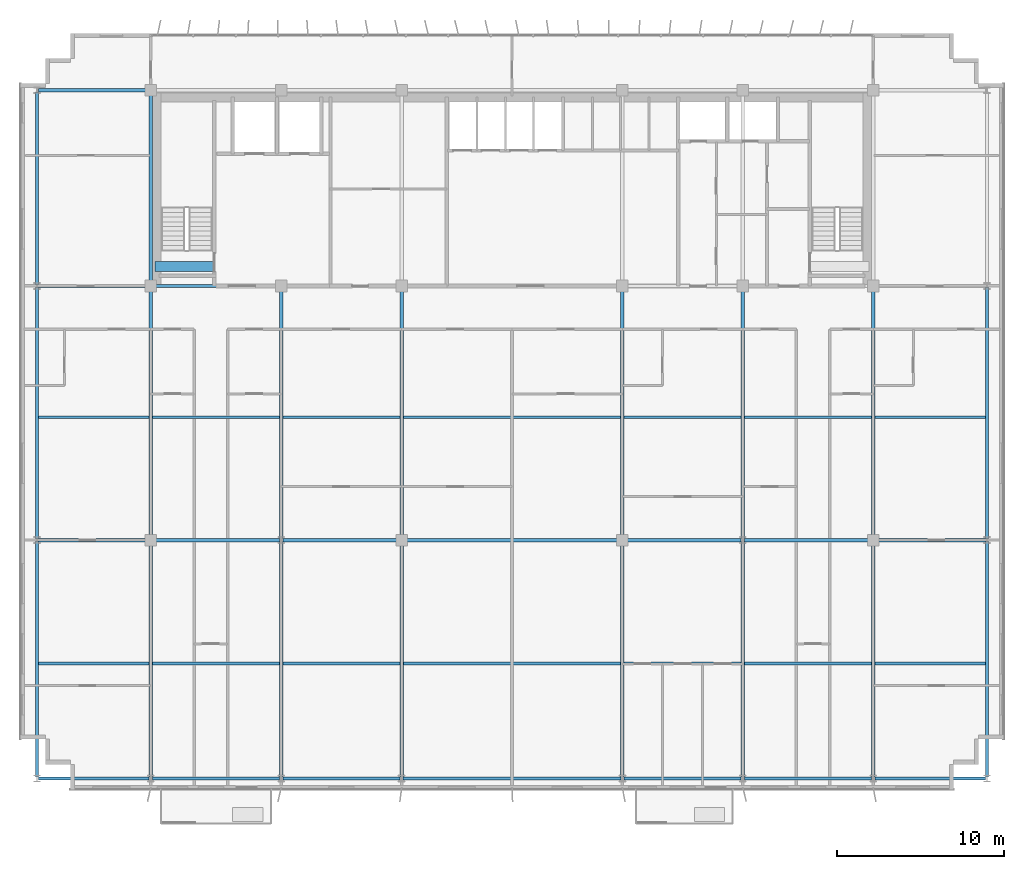
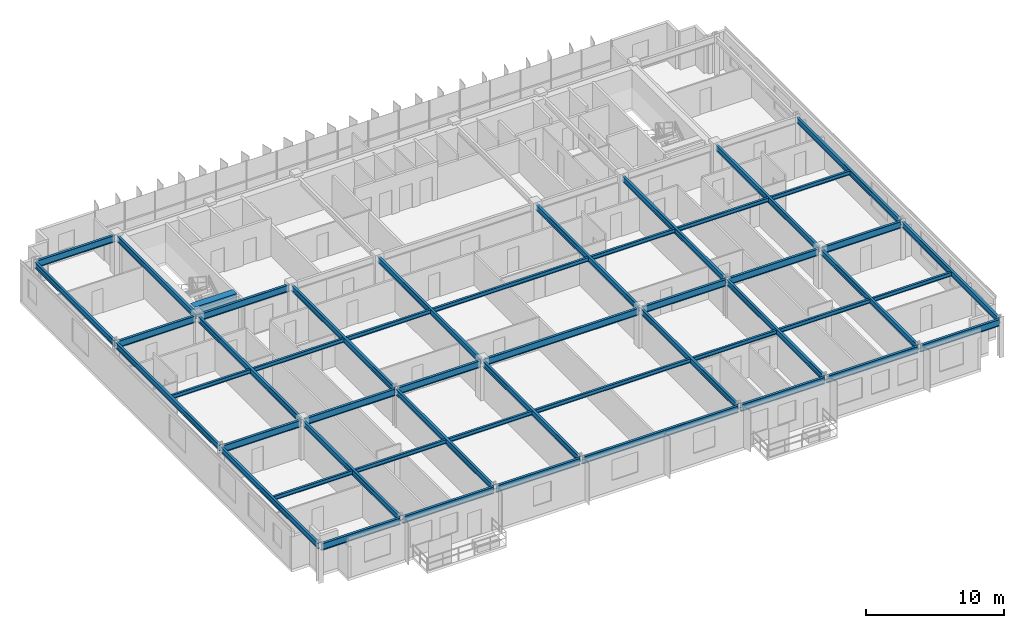
# One storey, part 3 of 20: 50 beams.
"""IFC4 building model written with IfcOpenShell, lengths in metres."""

import ifcopenshell
import ifcopenshell.guid

model = None  # the IFC model being written
_history = None  # IfcOwnerHistory: only IFC2X3 demands one
_inside = {}  # id of a spatial element -> (the spatial element, [elements in it])
_under = {}  # id of a project, library or spatial element -> (it, [spatial elements below it])
_declared = {}  # id of a project -> (the project, [libraries it declares])
_typed = {}  # id of a type object -> (the type object, [elements of that type])
_made_of = {}  # id of a material, layer set ... -> (it, [elements and type objects made of it])


def new_model(schema):
    """Start an empty IFC model of exactly this schema.

    Asked for "IFC4X3", IfcOpenShell would pick the latest addendum, in which some entities
    have other attributes; the version numbers below select the first issue.
    IFC2X3 requires an IfcOwnerHistory on every rooted entity: one is made here for all.
    """
    global model, _history
    if schema == "IFC4X3":
        model = ifcopenshell.file(schema_version=(4, 3, 0, 0))
    else:
        model = ifcopenshell.file(schema=schema)
    _inside.clear()
    _under.clear()
    _declared.clear()
    _typed.clear()
    _made_of.clear()
    _history = None
    if model.schema == "IFC2X3":
        org = make("IfcOrganization", Name="unknown")
        user = make(
            "IfcPersonAndOrganization",
            ThePerson=make("IfcPerson", FamilyName="unknown"),
            TheOrganization=org,
        )
        app = make(
            "IfcApplication",
            ApplicationDeveloper=org,
            Version="unknown",
            ApplicationFullName="unknown",
            ApplicationIdentifier="unknown",
        )
        _history = make(
            "IfcOwnerHistory",
            OwningUser=user,
            OwningApplication=app,
            ChangeAction="ADDED",
            CreationDate=0,
        )
    return model


def make(cls, **values):
    """One entity of the class cls with the attributes given. An attribute that is None is left unset."""
    return model.create_entity(
        cls, **{name: value for name, value in values.items() if value is not None}
    )


def rooted(cls, **values):
    """An entity with a GlobalId (a new one), such as an element, a storey or a relation."""
    return make(cls, GlobalId=ifcopenshell.guid.new(), OwnerHistory=_history, **values)


def si_unit(unit_type, name, prefix=None):
    """IfcSIUnit, for example si_unit("LENGTHUNIT", "METRE", prefix="MILLI")."""
    return make("IfcSIUnit", UnitType=unit_type, Prefix=prefix, Name=name)


def assignment(units):
    """IfcUnitAssignment: the units of a project."""
    return None if units is None else make("IfcUnitAssignment", Units=units)


def point(xyz):
    """IfcCartesianPoint."""
    return None if xyz is None else make("IfcCartesianPoint", Coordinates=xyz)


def direction(xyz):
    """IfcDirection."""
    return None if xyz is None else make("IfcDirection", DirectionRatios=xyz)


def frame(location, z_axis=None, x_axis=None):
    """IfcAxis2Placement3D, a coordinate frame: its origin and axes. An axis left out is left unset."""
    return make(
        "IfcAxis2Placement3D",
        Location=point(location),
        Axis=direction(z_axis),
        RefDirection=direction(x_axis),
    )


def frame_2d(location, x_axis=None):
    """IfcAxis2Placement2D, a coordinate frame in the plane: its origin and x axis."""
    return make(
        "IfcAxis2Placement2D", Location=point(location), RefDirection=direction(x_axis)
    )


def origin():
    """The frame at (0, 0, 0) with its axes left unset."""
    return frame((0.0, 0.0, 0.0))


def origin_2d():
    """The frame at (0, 0) in the plane with its x axis left unset."""
    return frame_2d((0.0, 0.0))


def place(relative_to, where):
    """IfcLocalPlacement: puts the frame where relative to a parent placement (None: the world)."""
    return make(
        "IfcLocalPlacement", PlacementRelTo=relative_to, RelativePlacement=where
    )


def context(
    kind, dimensions, precision=None, world=None, true_north=None, identifier=None
):
    """IfcGeometricRepresentationContext, for example the 3D "Model" context."""
    return make(
        "IfcGeometricRepresentationContext",
        ContextIdentifier=identifier,
        ContextType=kind,
        CoordinateSpaceDimension=dimensions,
        Precision=precision,
        WorldCoordinateSystem=world,
        TrueNorth=true_north,
    )


def subcontext(parent, identifier, kind, view, scale=None):
    """IfcGeometricRepresentationSubContext, for example "Body" below "Model"."""
    return make(
        "IfcGeometricRepresentationSubContext",
        ContextIdentifier=identifier,
        ContextType=kind,
        ParentContext=parent,
        TargetScale=scale,
        TargetView=view,
    )


def project(units=None, contexts=None):
    """IfcProject with its units and contexts."""
    return rooted(
        "IfcProject",
        Name="project",
        RepresentationContexts=contexts,
        UnitsInContext=assignment(units),
    )


def spatial(cls, under=None, at=None, **own):
    """A site, building, storey or space (cls), placed at a placement, below another one or the project."""
    s = rooted(cls, ObjectPlacement=at, **own)
    if under is not None:
        _under.setdefault(under.id(), (under, []))[1].append(s)
    return s


def profile(cls, at=None, kind="AREA", **sizes):
    """A parametric profile (cls). Its sizes go by their IFC names, for example OverallWidth=200.0."""
    return make(cls, ProfileType=kind, Position=at, **sizes)


def rectangle(**sizes):
    """IfcRectangleProfileDef."""
    return profile("IfcRectangleProfileDef", **sizes)


def i_section(**sizes):
    """IfcIShapeProfileDef."""
    return profile("IfcIShapeProfileDef", **sizes)


def extrude(swept, where, along, depth):
    """IfcExtrudedAreaSolid: the profile swept, set in the frame where, extruded along a direction by depth."""
    return make(
        "IfcExtrudedAreaSolid",
        SweptArea=swept,
        Position=where,
        ExtrudedDirection=direction(along),
        Depth=depth,
    )


def shape(context_of_items, identifier, shape_type, items):
    """IfcShapeRepresentation: the items that make up one representation, for example the "Body"."""
    return make(
        "IfcShapeRepresentation",
        ContextOfItems=context_of_items,
        RepresentationIdentifier=identifier,
        RepresentationType=shape_type,
        Items=items,
    )


def source(mapping_origin, context_of_items, identifier, shape_type, items):
    """IfcRepresentationMap: a shape defined once, which mapped items show again and again."""
    return make(
        "IfcRepresentationMap",
        MappingOrigin=mapping_origin,
        MappedRepresentation=shape(context_of_items, identifier, shape_type, items),
    )


def transform(
    local_origin,
    x_axis=None,
    y_axis=None,
    z_axis=None,
    scale=None,
    scale2=None,
    scale3=None,
    uniform=True,
):
    """IfcCartesianTransformationOperator3D, or its non-uniform kind. x_axis, y_axis, z_axis: its Axis1, 2, 3."""
    if uniform:
        return make(
            "IfcCartesianTransformationOperator3D",
            Axis1=direction(x_axis),
            Axis2=direction(y_axis),
            LocalOrigin=point(local_origin),
            Scale=scale,
            Axis3=direction(z_axis),
        )
    return make(
        "IfcCartesianTransformationOperator3DnonUniform",
        Axis1=direction(x_axis),
        Axis2=direction(y_axis),
        LocalOrigin=point(local_origin),
        Scale=scale,
        Axis3=direction(z_axis),
        Scale2=scale2,
        Scale3=scale3,
    )


def mapped(mapping_source, mapping_target):
    """IfcMappedItem: shows the shape of a source again, moved by a transform."""
    return make(
        "IfcMappedItem", MappingSource=mapping_source, MappingTarget=mapping_target
    )


def material(Name=None, Category=None):
    """IfcMaterial."""
    return make("IfcMaterial", Name=Name, Category=Category)


def material_profile(
    of_material, cross_section, Name=None, Category=None, Priority=None
):
    """IfcMaterialProfile: a cross section and its material."""
    return make(
        "IfcMaterialProfile",
        Name=Name,
        Material=of_material,
        Profile=cross_section,
        Priority=Priority,
        Category=Category,
    )


def profile_set(profiles, Name=None, composite=None):
    """IfcMaterialProfileSet."""
    return make(
        "IfcMaterialProfileSet",
        Name=Name,
        MaterialProfiles=profiles,
        CompositeProfile=composite,
    )


def made_of(thing, what):
    """Note that an element or type object is made of a material, layer set ...; save() writes the relation."""
    if what is not None:
        _made_of.setdefault(what.id(), (what, []))[1].append(thing)
    return thing


def type_object(cls, material=None, **own):
    """A type object (cls), such as IfcWallType, which elements share."""
    return made_of(rooted(cls, **own), material)


def element(
    cls,
    number,
    at=None,
    inside=None,
    cuts=None,
    type_object=None,
    material=None,
    context=None,
    identifier="Body",
    shape_type=None,
    held_by="IfcProductDefinitionShape",
    body=None,
    shapes=None,
    **own,
):
    """One element of the class cls, such as IfcWall. Its Tag is "e" and its number.

    at: its placement. inside: the storey or other place that contains it. cuts: it is an
    opening in that element (IfcRelVoidsElement). A single representation is given by context,
    identifier, shape_type and body (its items); several are given by shapes. held_by: the class
    of the entity that holds the representations. save() writes the other relations.
    """
    e = rooted(cls, Tag="e%d" % number, ObjectPlacement=at, **own)
    if body is not None:
        shapes = [shape(context, identifier, shape_type, body)]
    if shapes is not None:
        e.Representation = make(held_by, Representations=shapes)
    if inside is not None:
        _inside.setdefault(inside.id(), (inside, []))[1].append(e)
    if cuts is not None:
        rooted(
            "IfcRelVoidsElement", RelatingBuildingElement=cuts, RelatedOpeningElement=e
        )
    if type_object is not None:
        _typed.setdefault(type_object.id(), (type_object, []))[1].append(e)
    return made_of(e, material)


def aggregate(whole, parts):
    """IfcRelAggregates: a whole, such as a stair, and the parts it consists of."""
    return rooted("IfcRelAggregates", RelatingObject=whole, RelatedObjects=parts)


def save(model, path):
    """Write the relations noted so far, then the file.

    IfcRelAggregates (storeys below a building ...), IfcRelContainedInSpatialStructure (elements
    in a storey), IfcRelDefinesByType, IfcRelAssociatesMaterial and IfcRelDeclares: one each for
    every whole, place, type object, material and project.
    """
    for whole, parts in _under.values():
        aggregate(whole, parts)
    for where, things in _inside.values():
        rooted(
            "IfcRelContainedInSpatialStructure",
            RelatedElements=things,
            RelatingStructure=where,
        )
    for kind, things in _typed.values():
        rooted("IfcRelDefinesByType", RelatedObjects=things, RelatingType=kind)
    for what, things in _made_of.values():
        rooted("IfcRelAssociatesMaterial", RelatedObjects=things, RelatingMaterial=what)
    for by, libraries in _declared.values():
        rooted("IfcRelDeclares", RelatingContext=by, RelatedDefinitions=libraries)
    model.write(path)


model = new_model("IFC4")

# Units and contexts
model_context = context("Model", 3, precision=1e-05, world=origin(), true_north=direction((0.0, 1.0)))
body_context = subcontext(model_context, "Body", "Model", "MODEL_VIEW")
ifc_project = project(units=[si_unit("LENGTHUNIT", "METRE"), si_unit("AREAUNIT", "SQUARE_METRE"), si_unit("VOLUMEUNIT", "CUBIC_METRE"), si_unit("PLANEANGLEUNIT", "RADIAN"), si_unit("MASSUNIT", "GRAM", prefix="KILO")], contexts=[model_context])

# Site, building, storey
site_placement = place(None, origin())
site = spatial("IfcSite", under=ifc_project, at=site_placement, CompositionType="ELEMENT")
building_placement = place(site_placement, origin())
building = spatial("IfcBuilding", under=site, at=building_placement, Name="Trelvane Seafront Commons", CompositionType="ELEMENT")
storey_placement = place(building_placement, frame((0.0, 0.0, 164.5)))
storey = spatial("IfcBuildingStorey", under=building, at=storey_placement, Name="L43", CompositionType="ELEMENT", Elevation=164.5)

# Beams
ifc_material_1 = material(Name="Concrete C60/75", Category="concrete")
ifc_material_profile_1 = material_profile(ifc_material_1, rectangle(XDim=0.60009765625, YDim=0.89990234375, at=origin_2d()), Name="RC-600x900")
ifc_profile_set_1 = profile_set([ifc_material_profile_1], Name="Concrete C60/75")
beam_type_1 = type_object("IfcBeamType", Name="STR-LNT-RC600x900", PredefinedType="LINTEL", material=ifc_profile_set_1)
shared_shape_1 = source(origin(), body_context, "Body", "SweptSolid", [
    extrude(rectangle(XDim=0.60009765625, YDim=0.89990234375, at=origin_2d()), origin(), (0.0, 0.0, 1.0), 3.5498046875),
])
beam_1_placement = place(storey_placement, frame((15.85009765625, 34.550048828125, 2.89990234375), z_axis=(1.0, 0.0, 0.0), x_axis=(0.0, 1.0, 0.0)))
element("IfcBeam", 1, at=beam_1_placement, inside=storey, type_object=beam_type_1, Name="L43 Core Coupling Lintel Beam CB-67", PredefinedType="LINTEL", context=body_context, shape_type="MappedRepresentation", body=[
    mapped(shared_shape_1, transform((0.0, 0.0, 0.0), x_axis=(1.0, 0.0, 0.0), y_axis=(0.0, 1.0, 0.0), z_axis=(0.0, 0.0, 1.0), scale=1.0)),
])
ifc_material_2 = material(Name="Steel SM355 (S355)", Category="steel")
ifc_material_profile_2 = material_profile(ifc_material_2, i_section(OverallWidth=0.199951171875, OverallDepth=0.5, WebThickness=0.010009765625, FlangeThickness=0.01611328125, at=origin_2d()), Name="H-500x200x10x16")
ifc_profile_set_2 = profile_set([ifc_material_profile_2], Name="Steel SM355 (S355)")
beam_type_2 = type_object("IfcBeamType", Name="STR-BM-H500", PredefinedType="BEAM", material=ifc_profile_set_2)
shared_shape_2 = source(origin(), body_context, "Body", "SweptSolid", [
    extrude(i_section(OverallWidth=0.199951171875, OverallDepth=0.5, WebThickness=0.010009765625, FlangeThickness=0.01611328125, at=origin_2d()), origin(), (0.0, 0.0, 1.0), 14.89990234375),
])
for number, where, z_axis, x_axis, name in (
    (2, (15.60009765625, 18.35009765625, 3.10009765625), (0.0, 1.0, 0.0), (-1.0, 0.0, 0.0), "L43 Primary Girder G-33"),
    (3, (30.60009765625, 18.35009765625, 3.10009765625), (0.0, 1.0, 0.0), (-1.0, 0.0, 0.0), "L43 Primary Girder G-39"),
    (4, (43.800048828125, 18.35009765625, 3.10009765625), (0.0, 1.0, 0.0), (-1.0, 0.0, 0.0), "L43 Primary Girder G-42"),
    (5, (58.800048828125, 18.35009765625, 3.10009765625), (0.0, 1.0, 0.0), (-1.0, 0.0, 0.0), "L43 Primary Girder G-48"),
):
    element("IfcBeam", number, at=place(storey_placement, frame(where, z_axis=z_axis, x_axis=x_axis)), inside=storey, type_object=beam_type_2, Name=name, PredefinedType="BEAM", context=body_context, shape_type="MappedRepresentation", body=[
        mapped(shared_shape_2, transform((0.0, 0.0, 0.0), x_axis=(1.0, 0.0, 0.0), y_axis=(0.0, 1.0, 0.0), z_axis=(0.0, 0.0, 1.0), scale=1.0)),
    ])
shared_shape_3 = source(origin(), body_context, "Body", "SweptSolid", [
    extrude(i_section(OverallWidth=0.199951171875, OverallDepth=0.5, WebThickness=0.010009765625, FlangeThickness=0.01611328125, at=origin_2d()), origin(), (0.0, 0.0, 1.0), 11.39990234375),
])
beam_2_placement = place(storey_placement, frame((15.60009765625, 33.550048828125, 3.10009765625), z_axis=(0.0, 1.0, 0.0), x_axis=(-1.0, 0.0, 0.0)))
element("IfcBeam", 6, at=beam_2_placement, inside=storey, type_object=beam_type_2, Name="L43 Primary Girder G-34", PredefinedType="BEAM", context=body_context, shape_type="MappedRepresentation", body=[
    mapped(shared_shape_3, transform((0.0, 0.0, 0.0), x_axis=(1.0, 0.0, 0.0), y_axis=(0.0, 1.0, 0.0), z_axis=(0.0, 0.0, 1.0), scale=1.0)),
])
ifc_material_profile_3 = material_profile(ifc_material_2, i_section(OverallWidth=0.175048828125, OverallDepth=0.35009765625, WebThickness=0.007080078125, FlangeThickness=0.010986328125, at=origin_2d()), Name="H-350x175x7x11")
ifc_profile_set_3 = profile_set([ifc_material_profile_3], Name="Steel SM355 (S355)")
beam_type_3 = type_object("IfcBeamType", Name="STR-JST-H350", PredefinedType="JOIST", material=ifc_profile_set_3)
shared_shape_4 = source(origin(), body_context, "Body", "SweptSolid", [
    extrude(i_section(OverallWidth=0.175048828125, OverallDepth=0.35009765625, WebThickness=0.007080078125, FlangeThickness=0.010986328125, at=origin_2d()), origin(), (0.0, 0.0, 1.0), 6.60009765625),
])
for number, where, z_axis, x_axis, name in (
    (7, (8.89990234375, 10.824951171875, 3.175048828125), (1.0, 0.0, 0.0), (0.0, 1.0, 0.0), "L43 Secondary Floor Joist B-53"),
    (8, (58.89990234375, 10.824951171875, 3.175048828125), (1.0, 0.0, 0.0), (0.0, 1.0, 0.0), "L43 Secondary Floor Joist B-59"),
    (9, (8.89990234375, 25.550048828125, 3.175048828125), (1.0, 0.0, 0.0), (0.0, 1.0, 0.0), "L43 Secondary Floor Joist B-60"),
    (10, (58.89990234375, 25.550048828125, 3.175048828125), (1.0, 0.0, 0.0), (0.0, 1.0, 0.0), "L43 Secondary Floor Joist B-66"),
):
    element("IfcBeam", number, at=place(storey_placement, frame(where, z_axis=z_axis, x_axis=x_axis)), inside=storey, type_object=beam_type_3, Name=name, PredefinedType="JOIST", context=body_context, shape_type="MappedRepresentation", body=[
        mapped(shared_shape_4, transform((0.0, 0.0, 0.0), x_axis=(1.0, 0.0, 0.0), y_axis=(0.0, 1.0, 0.0), z_axis=(0.0, 0.0, 1.0), scale=1.0)),
    ])
shared_shape_5 = source(origin(), body_context, "Body", "SweptSolid", [
    extrude(i_section(OverallWidth=0.175048828125, OverallDepth=0.35009765625, WebThickness=0.007080078125, FlangeThickness=0.010986328125, at=origin_2d()), origin(), (0.0, 0.0, 1.0), 7.60009765625),
])
for number, where, z_axis, x_axis, name in (
    (11, (15.699951171875, 10.824951171875, 3.175048828125), (1.0, 0.0, 0.0), (0.0, 1.0, 0.0), "L43 Secondary Floor Joist B-54"),
    (12, (15.699951171875, 25.550048828125, 3.175048828125), (1.0, 0.0, 0.0), (0.0, 1.0, 0.0), "L43 Secondary Floor Joist B-61"),
):
    element("IfcBeam", number, at=place(storey_placement, frame(where, z_axis=z_axis, x_axis=x_axis)), inside=storey, type_object=beam_type_3, Name=name, PredefinedType="JOIST", context=body_context, shape_type="MappedRepresentation", body=[
        mapped(shared_shape_5, transform((0.0, 0.0, 0.0), x_axis=(1.0, 0.0, 0.0), y_axis=(0.0, 1.0, 0.0), z_axis=(0.0, 0.0, 1.0), scale=1.0)),
    ])
shared_shape_6 = source(origin(), body_context, "Body", "SweptSolid", [
    extrude(i_section(OverallWidth=0.175048828125, OverallDepth=0.35009765625, WebThickness=0.007080078125, FlangeThickness=0.010986328125, at=origin_2d()), origin(), (0.0, 0.0, 1.0), 7.0),
])
for number, where, z_axis, x_axis, name in (
    (13, (23.5, 10.824951171875, 3.175048828125), (1.0, 0.0, 0.0), (0.0, 1.0, 0.0), "L43 Secondary Floor Joist B-55"),
    (14, (43.89990234375, 10.824951171875, 3.175048828125), (1.0, 0.0, 0.0), (0.0, 1.0, 0.0), "L43 Secondary Floor Joist B-57"),
    (15, (23.5, 25.550048828125, 3.175048828125), (1.0, 0.0, 0.0), (0.0, 1.0, 0.0), "L43 Secondary Floor Joist B-62"),
    (16, (43.89990234375, 25.550048828125, 3.175048828125), (1.0, 0.0, 0.0), (0.0, 1.0, 0.0), "L43 Secondary Floor Joist B-64"),
):
    element("IfcBeam", number, at=place(storey_placement, frame(where, z_axis=z_axis, x_axis=x_axis)), inside=storey, type_object=beam_type_3, Name=name, PredefinedType="JOIST", context=body_context, shape_type="MappedRepresentation", body=[
        mapped(shared_shape_6, transform((0.0, 0.0, 0.0), x_axis=(1.0, 0.0, 0.0), y_axis=(0.0, 1.0, 0.0), z_axis=(0.0, 0.0, 1.0), scale=1.0)),
    ])
shared_shape_7 = source(origin(), body_context, "Body", "SweptSolid", [
    extrude(i_section(OverallWidth=0.175048828125, OverallDepth=0.35009765625, WebThickness=0.007080078125, FlangeThickness=0.010986328125, at=origin_2d()), origin(), (0.0, 0.0, 1.0), 13.0),
])
for number, where, z_axis, x_axis, name in (
    (17, (30.699951171875, 10.824951171875, 3.175048828125), (1.0, 0.0, 0.0), (0.0, 1.0, 0.0), "L43 Secondary Floor Joist B-56"),
    (18, (30.699951171875, 25.550048828125, 3.175048828125), (1.0, 0.0, 0.0), (0.0, 1.0, 0.0), "L43 Secondary Floor Joist B-63"),
):
    element("IfcBeam", number, at=place(storey_placement, frame(where, z_axis=z_axis, x_axis=x_axis)), inside=storey, type_object=beam_type_3, Name=name, PredefinedType="JOIST", context=body_context, shape_type="MappedRepresentation", body=[
        mapped(shared_shape_7, transform((0.0, 0.0, 0.0), x_axis=(1.0, 0.0, 0.0), y_axis=(0.0, 1.0, 0.0), z_axis=(0.0, 0.0, 1.0), scale=1.0)),
    ])
shared_shape_8 = source(origin(), body_context, "Body", "SweptSolid", [
    extrude(i_section(OverallWidth=0.175048828125, OverallDepth=0.35009765625, WebThickness=0.007080078125, FlangeThickness=0.010986328125, at=origin_2d()), origin(), (0.0, 0.0, 1.0), 7.599853515625),
])
for number, where, z_axis, x_axis, name in (
    (19, (51.10009765625, 10.824951171875, 3.175048828125), (1.0, 0.0, 0.0), (0.0, 1.0, 0.0), "L43 Secondary Floor Joist B-58"),
    (20, (51.10009765625, 25.550048828125, 3.175048828125), (1.0, 0.0, 0.0), (0.0, 1.0, 0.0), "L43 Secondary Floor Joist B-65"),
):
    element("IfcBeam", number, at=place(storey_placement, frame(where, z_axis=z_axis, x_axis=x_axis)), inside=storey, type_object=beam_type_3, Name=name, PredefinedType="JOIST", context=body_context, shape_type="MappedRepresentation", body=[
        mapped(shared_shape_8, transform((0.0, 0.0, 0.0), x_axis=(1.0, 0.0, 0.0), y_axis=(0.0, 1.0, 0.0), z_axis=(0.0, 0.0, 1.0), scale=1.0)),
    ])
ifc_material_profile_4 = material_profile(ifc_material_2, i_section(OverallWidth=0.199951171875, OverallDepth=0.60009765625, WebThickness=0.010986328125, FlangeThickness=0.01708984375, at=origin_2d()), Name="H-600x200x11x17")
ifc_profile_set_4 = profile_set([ifc_material_profile_4], Name="Steel SM355 (S355)")
beam_type_4 = type_object("IfcBeamType", Name="STR-SPD-H600", PredefinedType="SPANDREL", material=ifc_profile_set_4)
shared_shape_9 = source(origin(), body_context, "Body", "SweptSolid", [
    extrude(i_section(OverallWidth=0.199951171875, OverallDepth=0.60009765625, WebThickness=0.010986328125, FlangeThickness=0.01708984375, at=origin_2d()), origin(), (0.0, 0.0, 1.0), 6.60986328125),
])
for number, where, z_axis, x_axis, name in (
    (21, (8.89501953125, 3.949951171875, 3.050048828125), (1.0, 0.0, 0.0), (0.0, 1.0, 0.0), "L43 Primary Girder G-01"),
    (22, (58.89501953125, 3.949951171875, 3.050048828125), (1.0, 0.0, 0.0), (0.0, 1.0, 0.0), "L43 Primary Girder G-07"),
):
    element("IfcBeam", number, at=place(storey_placement, frame(where, z_axis=z_axis, x_axis=x_axis)), inside=storey, type_object=beam_type_4, Name=name, PredefinedType="SPANDREL", context=body_context, shape_type="MappedRepresentation", body=[
        mapped(shared_shape_9, transform((0.0, 0.0, 0.0), x_axis=(1.0, 0.0, 0.0), y_axis=(0.0, 1.0, 0.0), z_axis=(0.0, 0.0, 1.0), scale=1.0)),
    ])
shared_shape_10 = source(origin(), body_context, "Body", "SweptSolid", [
    extrude(i_section(OverallWidth=0.199951171875, OverallDepth=0.60009765625, WebThickness=0.010986328125, FlangeThickness=0.01708984375, at=origin_2d()), origin(), (0.0, 0.0, 1.0), 7.60986328125),
])
beam_3_placement = place(storey_placement, frame((15.695068359375, 3.949951171875, 3.050048828125), z_axis=(1.0, 0.0, 0.0), x_axis=(0.0, 1.0, 0.0)))
element("IfcBeam", 23, at=beam_3_placement, inside=storey, type_object=beam_type_4, Name="L43 Primary Girder G-02", PredefinedType="SPANDREL", context=body_context, shape_type="MappedRepresentation", body=[
    mapped(shared_shape_10, transform((0.0, 0.0, 0.0), x_axis=(1.0, 0.0, 0.0), y_axis=(0.0, 1.0, 0.0), z_axis=(0.0, 0.0, 1.0), scale=1.0)),
])
shared_shape_11 = source(origin(), body_context, "Body", "SweptSolid", [
    extrude(i_section(OverallWidth=0.199951171875, OverallDepth=0.60009765625, WebThickness=0.010986328125, FlangeThickness=0.01708984375, at=origin_2d()), origin(), (0.0, 0.0, 1.0), 7.009765625),
])
beam_4_placement = place(storey_placement, frame((23.4951171875, 3.949951171875, 3.050048828125), z_axis=(1.0, 0.0, 0.0), x_axis=(0.0, 1.0, 0.0)))
element("IfcBeam", 24, at=beam_4_placement, inside=storey, type_object=beam_type_4, Name="L43 Primary Girder G-03", PredefinedType="SPANDREL", context=body_context, shape_type="MappedRepresentation", body=[
    mapped(shared_shape_11, transform((0.0, 0.0, 0.0), x_axis=(1.0, 0.0, 0.0), y_axis=(0.0, 1.0, 0.0), z_axis=(0.0, 0.0, 1.0), scale=1.0)),
])
shared_shape_12 = source(origin(), body_context, "Body", "SweptSolid", [
    extrude(i_section(OverallWidth=0.199951171875, OverallDepth=0.60009765625, WebThickness=0.010986328125, FlangeThickness=0.01708984375, at=origin_2d()), origin(), (0.0, 0.0, 1.0), 13.010009765625),
])
beam_5_placement = place(storey_placement, frame((30.695068359375, 3.949951171875, 3.050048828125), z_axis=(1.0, 0.0, 0.0), x_axis=(0.0, 1.0, 0.0)))
element("IfcBeam", 25, at=beam_5_placement, inside=storey, type_object=beam_type_4, Name="L43 Primary Girder G-04", PredefinedType="SPANDREL", context=body_context, shape_type="MappedRepresentation", body=[
    mapped(shared_shape_12, transform((0.0, 0.0, 0.0), x_axis=(1.0, 0.0, 0.0), y_axis=(0.0, 1.0, 0.0), z_axis=(0.0, 0.0, 1.0), scale=1.0)),
])
shared_shape_13 = source(origin(), body_context, "Body", "SweptSolid", [
    extrude(i_section(OverallWidth=0.199951171875, OverallDepth=0.60009765625, WebThickness=0.010986328125, FlangeThickness=0.01708984375, at=origin_2d()), origin(), (0.0, 0.0, 1.0), 7.010009765625),
])
beam_6_placement = place(storey_placement, frame((43.89501953125, 3.949951171875, 3.050048828125), z_axis=(1.0, 0.0, 0.0), x_axis=(0.0, 1.0, 0.0)))
element("IfcBeam", 26, at=beam_6_placement, inside=storey, type_object=beam_type_4, Name="L43 Primary Girder G-05", PredefinedType="SPANDREL", context=body_context, shape_type="MappedRepresentation", body=[
    mapped(shared_shape_13, transform((0.0, 0.0, 0.0), x_axis=(1.0, 0.0, 0.0), y_axis=(0.0, 1.0, 0.0), z_axis=(0.0, 0.0, 1.0), scale=1.0)),
])
shared_shape_14 = source(origin(), body_context, "Body", "SweptSolid", [
    extrude(i_section(OverallWidth=0.199951171875, OverallDepth=0.60009765625, WebThickness=0.010986328125, FlangeThickness=0.01708984375, at=origin_2d()), origin(), (0.0, 0.0, 1.0), 7.610107421875),
])
beam_7_placement = place(storey_placement, frame((51.094970703125, 3.949951171875, 3.050048828125), z_axis=(1.0, 0.0, 0.0), x_axis=(0.0, 1.0, 0.0)))
element("IfcBeam", 27, at=beam_7_placement, inside=storey, type_object=beam_type_4, Name="L43 Primary Girder G-06", PredefinedType="SPANDREL", context=body_context, shape_type="MappedRepresentation", body=[
    mapped(shared_shape_14, transform((0.0, 0.0, 0.0), x_axis=(1.0, 0.0, 0.0), y_axis=(0.0, 1.0, 0.0), z_axis=(0.0, 0.0, 1.0), scale=1.0)),
])
shared_shape_15 = source(origin(), body_context, "Body", "SweptSolid", [
    extrude(i_section(OverallWidth=0.199951171875, OverallDepth=0.60009765625, WebThickness=0.010986328125, FlangeThickness=0.01708984375, at=origin_2d()), origin(), (0.0, 0.0, 1.0), 6.554931640625),
])
for number, where, z_axis, x_axis, name in (
    (28, (8.89501953125, 18.199951171875, 3.050048828125), (1.0, 0.0, 0.0), (0.0, 1.0, 0.0), "L43 Primary Girder G-08"),
    (29, (58.949951171875, 18.199951171875, 3.050048828125), (1.0, 0.0, 0.0), (0.0, 1.0, 0.0), "L43 Primary Girder G-14"),
    (30, (8.89501953125, 33.39990234375, 3.050048828125), (1.0, 0.0, 0.0), (0.0, 1.0, 0.0), "L43 Primary Girder G-15"),
    (31, (8.89501953125, 45.10009765625, 3.050048828125), (1.0, 0.0, 0.0), (0.0, 1.0, 0.0), "L43 Primary Girder G-22"),
):
    element("IfcBeam", number, at=place(storey_placement, frame(where, z_axis=z_axis, x_axis=x_axis)), inside=storey, type_object=beam_type_4, Name=name, PredefinedType="SPANDREL", context=body_context, shape_type="MappedRepresentation", body=[
        mapped(shared_shape_15, transform((0.0, 0.0, 0.0), x_axis=(1.0, 0.0, 0.0), y_axis=(0.0, 1.0, 0.0), z_axis=(0.0, 0.0, 1.0), scale=1.0)),
    ])
shared_shape_16 = source(origin(), body_context, "Body", "SweptSolid", [
    extrude(i_section(OverallWidth=0.199951171875, OverallDepth=0.60009765625, WebThickness=0.010986328125, FlangeThickness=0.01708984375, at=origin_2d()), origin(), (0.0, 0.0, 1.0), 7.554931640625),
])
for number, where, z_axis, x_axis, name in (
    (32, (15.75, 18.199951171875, 3.050048828125), (1.0, 0.0, 0.0), (0.0, 1.0, 0.0), "L43 Primary Girder G-09"),
    (33, (51.094970703125, 18.199951171875, 3.050048828125), (1.0, 0.0, 0.0), (0.0, 1.0, 0.0), "L43 Primary Girder G-13"),
):
    element("IfcBeam", number, at=place(storey_placement, frame(where, z_axis=z_axis, x_axis=x_axis)), inside=storey, type_object=beam_type_4, Name=name, PredefinedType="SPANDREL", context=body_context, shape_type="MappedRepresentation", body=[
        mapped(shared_shape_16, transform((0.0, 0.0, 0.0), x_axis=(1.0, 0.0, 0.0), y_axis=(0.0, 1.0, 0.0), z_axis=(0.0, 0.0, 1.0), scale=1.0)),
    ])
shared_shape_17 = source(origin(), body_context, "Body", "SweptSolid", [
    extrude(i_section(OverallWidth=0.199951171875, OverallDepth=0.60009765625, WebThickness=0.010986328125, FlangeThickness=0.01708984375, at=origin_2d()), origin(), (0.0, 0.0, 1.0), 6.954833984375),
])
beam_8_placement = place(storey_placement, frame((23.4951171875, 18.199951171875, 3.050048828125), z_axis=(1.0, 0.0, 0.0), x_axis=(0.0, 1.0, 0.0)))
element("IfcBeam", 34, at=beam_8_placement, inside=storey, type_object=beam_type_4, Name="L43 Primary Girder G-10", PredefinedType="SPANDREL", context=body_context, shape_type="MappedRepresentation", body=[
    mapped(shared_shape_17, transform((0.0, 0.0, 0.0), x_axis=(1.0, 0.0, 0.0), y_axis=(0.0, 1.0, 0.0), z_axis=(0.0, 0.0, 1.0), scale=1.0)),
])
shared_shape_18 = source(origin(), body_context, "Body", "SweptSolid", [
    extrude(i_section(OverallWidth=0.199951171875, OverallDepth=0.60009765625, WebThickness=0.010986328125, FlangeThickness=0.01708984375, at=origin_2d()), origin(), (0.0, 0.0, 1.0), 12.89990234375),
])
beam_9_placement = place(storey_placement, frame((30.75, 18.199951171875, 3.050048828125), z_axis=(1.0, 0.0, 0.0), x_axis=(0.0, 1.0, 0.0)))
element("IfcBeam", 35, at=beam_9_placement, inside=storey, type_object=beam_type_4, Name="L43 Primary Girder G-11", PredefinedType="SPANDREL", context=body_context, shape_type="MappedRepresentation", body=[
    mapped(shared_shape_18, transform((0.0, 0.0, 0.0), x_axis=(1.0, 0.0, 0.0), y_axis=(0.0, 1.0, 0.0), z_axis=(0.0, 0.0, 1.0), scale=1.0)),
])
shared_shape_19 = source(origin(), body_context, "Body", "SweptSolid", [
    extrude(i_section(OverallWidth=0.199951171875, OverallDepth=0.60009765625, WebThickness=0.010986328125, FlangeThickness=0.01708984375, at=origin_2d()), origin(), (0.0, 0.0, 1.0), 6.955078125),
])
beam_10_placement = place(storey_placement, frame((43.949951171875, 18.199951171875, 3.050048828125), z_axis=(1.0, 0.0, 0.0), x_axis=(0.0, 1.0, 0.0)))
element("IfcBeam", 36, at=beam_10_placement, inside=storey, type_object=beam_type_4, Name="L43 Primary Girder G-12", PredefinedType="SPANDREL", context=body_context, shape_type="MappedRepresentation", body=[
    mapped(shared_shape_19, transform((0.0, 0.0, 0.0), x_axis=(1.0, 0.0, 0.0), y_axis=(0.0, 1.0, 0.0), z_axis=(0.0, 0.0, 1.0), scale=1.0)),
])
shared_shape_20 = source(origin(), body_context, "Body", "SweptSolid", [
    extrude(i_section(OverallWidth=0.199951171875, OverallDepth=0.60009765625, WebThickness=0.010986328125, FlangeThickness=0.01708984375, at=origin_2d()), origin(), (0.0, 0.0, 1.0), 7.5),
])
beam_11_placement = place(storey_placement, frame((15.75, 33.39990234375, 3.050048828125), z_axis=(1.0, 0.0, 0.0), x_axis=(0.0, 1.0, 0.0)))
element("IfcBeam", 37, at=beam_11_placement, inside=storey, type_object=beam_type_4, Name="L43 Primary Girder G-16", PredefinedType="SPANDREL", context=body_context, shape_type="MappedRepresentation", body=[
    mapped(shared_shape_20, transform((0.0, 0.0, 0.0), x_axis=(1.0, 0.0, 0.0), y_axis=(0.0, 1.0, 0.0), z_axis=(0.0, 0.0, 1.0), scale=1.0)),
])
shared_shape_21 = source(origin(), body_context, "Body", "SweptSolid", [
    extrude(i_section(OverallWidth=0.199951171875, OverallDepth=0.5, WebThickness=0.010009765625, FlangeThickness=0.01611328125, at=origin_2d()), origin(), (0.0, 0.0, 1.0), 14.06005859375),
])
for number, where, z_axis, x_axis, name in (
    (38, (8.800048828125, 4.044921875, 3.10009765625), (0.0, 1.0, 0.0), (-1.0, 0.0, 0.0), "L43 Primary Girder G-29"),
    (39, (23.39990234375, 4.044921875, 3.10009765625), (0.0, 1.0, 0.0), (-1.0, 0.0, 0.0), "L43 Primary Girder G-35"),
    (40, (51.0, 4.044921875, 3.10009765625), (0.0, 1.0, 0.0), (-1.0, 0.0, 0.0), "L43 Primary Girder G-44"),
    (41, (65.60009765625, 4.044921875, 3.10009765625), (0.0, 1.0, 0.0), (-1.0, 0.0, 0.0), "L43 Primary Girder G-50"),
):
    element("IfcBeam", number, at=place(storey_placement, frame(where, z_axis=z_axis, x_axis=x_axis)), inside=storey, type_object=beam_type_2, Name=name, PredefinedType="BEAM", context=body_context, shape_type="MappedRepresentation", body=[
        mapped(shared_shape_21, transform((0.0, 0.0, 0.0), x_axis=(1.0, 0.0, 0.0), y_axis=(0.0, 1.0, 0.0), z_axis=(0.0, 0.0, 1.0), scale=1.0)),
    ])
shared_shape_22 = source(origin(), body_context, "Body", "SweptSolid", [
    extrude(i_section(OverallWidth=0.199951171875, OverallDepth=0.5, WebThickness=0.010009765625, FlangeThickness=0.01611328125, at=origin_2d()), origin(), (0.0, 0.0, 1.0), 15.010009765625),
])
for number, where, z_axis, x_axis, name in (
    (42, (8.800048828125, 18.294921875, 3.10009765625), (0.0, 1.0, 0.0), (-1.0, 0.0, 0.0), "L43 Primary Girder G-30"),
    (43, (65.60009765625, 18.294921875, 3.10009765625), (0.0, 1.0, 0.0), (-1.0, 0.0, 0.0), "L43 Primary Girder G-51"),
):
    element("IfcBeam", number, at=place(storey_placement, frame(where, z_axis=z_axis, x_axis=x_axis)), inside=storey, type_object=beam_type_2, Name=name, PredefinedType="BEAM", context=body_context, shape_type="MappedRepresentation", body=[
        mapped(shared_shape_22, transform((0.0, 0.0, 0.0), x_axis=(1.0, 0.0, 0.0), y_axis=(0.0, 1.0, 0.0), z_axis=(0.0, 0.0, 1.0), scale=1.0)),
    ])
shared_shape_23 = source(origin(), body_context, "Body", "SweptSolid", [
    extrude(i_section(OverallWidth=0.199951171875, OverallDepth=0.5, WebThickness=0.010009765625, FlangeThickness=0.01611328125, at=origin_2d()), origin(), (0.0, 0.0, 1.0), 11.509765625),
])
beam_12_placement = place(storey_placement, frame((8.800048828125, 33.4951171875, 3.10009765625), z_axis=(0.0, 1.0, 0.0), x_axis=(-1.0, 0.0, 0.0)))
element("IfcBeam", 44, at=beam_12_placement, inside=storey, type_object=beam_type_2, Name="L43 Primary Girder G-31", PredefinedType="BEAM", context=body_context, shape_type="MappedRepresentation", body=[
    mapped(shared_shape_23, transform((0.0, 0.0, 0.0), x_axis=(1.0, 0.0, 0.0), y_axis=(0.0, 1.0, 0.0), z_axis=(0.0, 0.0, 1.0), scale=1.0)),
])
shared_shape_24 = source(origin(), body_context, "Body", "SweptSolid", [
    extrude(i_section(OverallWidth=0.199951171875, OverallDepth=0.5, WebThickness=0.010009765625, FlangeThickness=0.01611328125, at=origin_2d()), origin(), (0.0, 0.0, 1.0), 14.005126953125),
])
for number, where, z_axis, x_axis, name in (
    (45, (15.60009765625, 4.044921875, 3.10009765625), (0.0, 1.0, 0.0), (-1.0, 0.0, 0.0), "L43 Primary Girder G-32"),
    (46, (30.60009765625, 4.044921875, 3.10009765625), (0.0, 1.0, 0.0), (-1.0, 0.0, 0.0), "L43 Primary Girder G-38"),
    (47, (43.800048828125, 4.044921875, 3.10009765625), (0.0, 1.0, 0.0), (-1.0, 0.0, 0.0), "L43 Primary Girder G-41"),
    (48, (58.800048828125, 4.044921875, 3.10009765625), (0.0, 1.0, 0.0), (-1.0, 0.0, 0.0), "L43 Primary Girder G-47"),
):
    element("IfcBeam", number, at=place(storey_placement, frame(where, z_axis=z_axis, x_axis=x_axis)), inside=storey, type_object=beam_type_2, Name=name, PredefinedType="BEAM", context=body_context, shape_type="MappedRepresentation", body=[
        mapped(shared_shape_24, transform((0.0, 0.0, 0.0), x_axis=(1.0, 0.0, 0.0), y_axis=(0.0, 1.0, 0.0), z_axis=(0.0, 0.0, 1.0), scale=1.0)),
    ])
shared_shape_25 = source(origin(), body_context, "Body", "SweptSolid", [
    extrude(i_section(OverallWidth=0.199951171875, OverallDepth=0.5, WebThickness=0.010009765625, FlangeThickness=0.01611328125, at=origin_2d()), origin(), (0.0, 0.0, 1.0), 14.955078125),
])
for number, where, z_axis, x_axis, name in (
    (49, (23.39990234375, 18.294921875, 3.10009765625), (0.0, 1.0, 0.0), (-1.0, 0.0, 0.0), "L43 Primary Girder G-36"),
    (50, (51.0, 18.294921875, 3.10009765625), (0.0, 1.0, 0.0), (-1.0, 0.0, 0.0), "L43 Primary Girder G-45"),
):
    element("IfcBeam", number, at=place(storey_placement, frame(where, z_axis=z_axis, x_axis=x_axis)), inside=storey, type_object=beam_type_2, Name=name, PredefinedType="BEAM", context=body_context, shape_type="MappedRepresentation", body=[
        mapped(shared_shape_25, transform((0.0, 0.0, 0.0), x_axis=(1.0, 0.0, 0.0), y_axis=(0.0, 1.0, 0.0), z_axis=(0.0, 0.0, 1.0), scale=1.0)),
    ])

save(model, "model.ifc")
